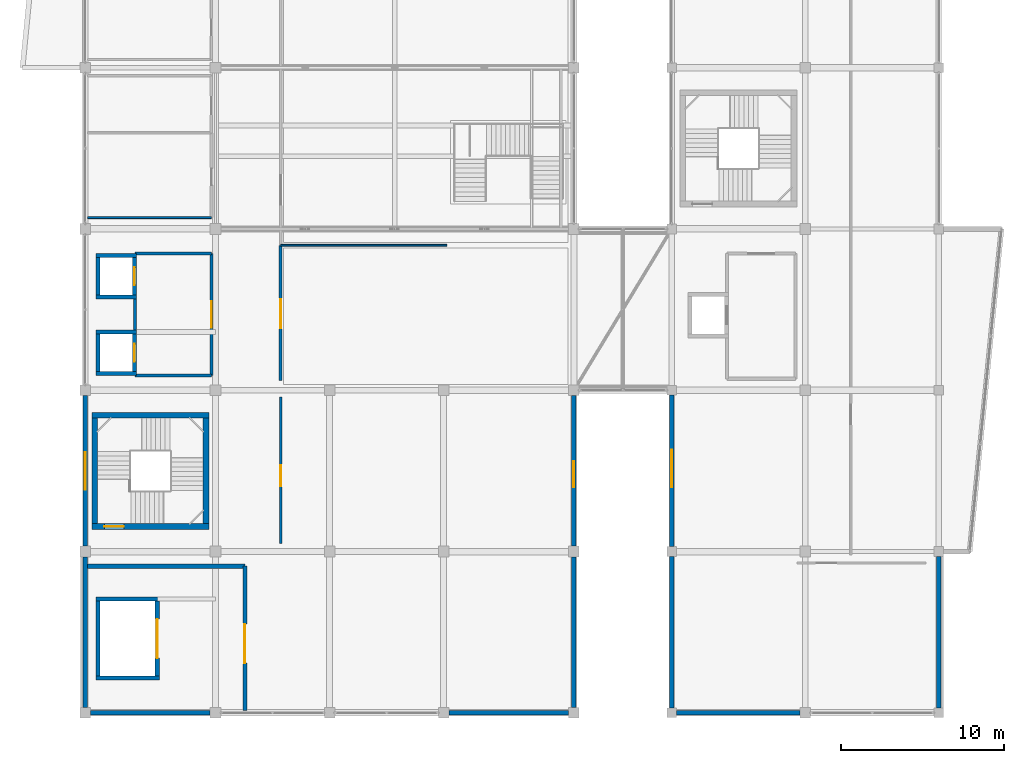
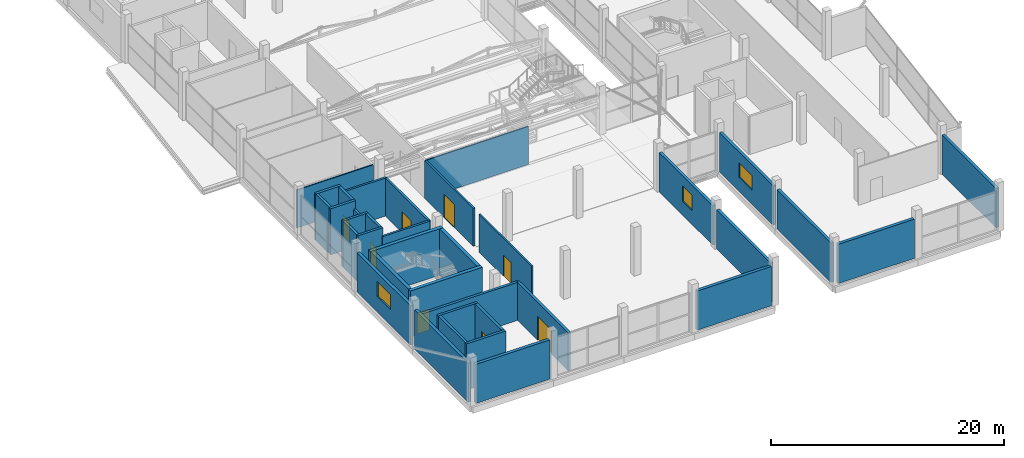
# One storey, part 52 of 66: 36 walls, 8 doors, 3 windows, 11 openings.
"""IFC4 building model written with IfcOpenShell, lengths in metres."""

from ifc_helpers import new_model, si_unit, direction, frame, frame_2d, origin, place, context, subcontext, project, spatial, rectangle, extrude, material, layer, layer_set, type_object, element, fill, save


model = new_model("IFC4")

# Units and contexts
model_context = context("Model", 3, precision=1e-05, world=origin(), true_north=direction((0.0, 1.0)))
body_context = subcontext(model_context, "Body", "Model", "MODEL_VIEW")
ifc_project = project(units=[si_unit("LENGTHUNIT", "METRE"), si_unit("AREAUNIT", "SQUARE_METRE"), si_unit("VOLUMEUNIT", "CUBIC_METRE"), si_unit("PLANEANGLEUNIT", "RADIAN"), si_unit("MASSUNIT", "GRAM", prefix="KILO")], contexts=[model_context])

# Site, building, storey
site_placement = place(None, origin())
site = spatial("IfcSite", under=ifc_project, at=site_placement, CompositionType="ELEMENT")
building_placement = place(site_placement, origin())
building = spatial("IfcBuilding", under=site, at=building_placement, Name="Sillaruma Civic Art Gallery", CompositionType="ELEMENT")
storey_placement = place(building_placement, frame((0.0, 0.0, 57.1201171875)))
storey = spatial("IfcBuildingStorey", under=building, at=storey_placement, Name="L11", CompositionType="ELEMENT", Elevation=57.1201171875)

# Wall, opening, door
ifc_material_1 = material(Name="Concrete H40 (40 MPa)", Category="concrete")
ifc_layer_1 = layer(ifc_material_1, 0.35009765625, Name="Concrete H40 (40 MPa)")
ifc_layer_set_1 = layer_set([ifc_layer_1], Name="Concrete H40 (40 MPa)")
wall_type_1 = type_object("IfcWallType", Name="WAL-CORE-350", PredefinedType="SHEAR", material=ifc_layer_set_1)
wall_1_placement = place(storey_placement, frame((62.409912109375, 31.235107421875, 0.0), z_axis=(0.0, 0.0, 1.0), x_axis=(1.0, 0.0, 0.0)))
wall_1 = element("IfcWall", 1, at=wall_1_placement, inside=storey, type_object=wall_type_1, Name="Stair Core Shear Wall W-CORE-350 (ST-03:L11:S)", PredefinedType="SHEAR", context=body_context, shape_type="SweptSolid", body=[
    extrude(rectangle(XDim=7.18017578125, YDim=0.35009765625, at=frame_2d((3.590087890625, 0.0))), origin(), (0.0, 0.0, 1.0), 4.869873046875),
])
opening_1_placement = place(wall_1_placement, frame((0.77001953125, 0.0, 0.0)))
opening_1 = element("IfcOpeningElement", 2, at=opening_1_placement, cuts=wall_1, Name="Opening D-STAIR", PredefinedType="OPENING", context=body_context, shape_type="SweptSolid", body=[
    extrude(rectangle(XDim=1.199951171875, YDim=2.199951171875, at=frame_2d((0.60009765625, 1.10009765625))), frame((0.0, 0.18505859375, 0.0), z_axis=(0.0, -1.0, 0.0), x_axis=(1.0, 0.0, 0.0)), (0.0, 0.0, 1.0), 0.3701171875),
])
ifc_material_2 = material(Name="Galvanised Steel ASTM A653 Gr.50", Category="steel")
door_type_1 = type_object("IfcDoorType", Name="DOR-STAIR-120", OperationType="NOTDEFINED", PredefinedType="DOOR", material=ifc_material_2)
door_1_placement = place(opening_1_placement, origin())
door_1 = element("IfcDoor", 3, at=door_1_placement, inside=storey, type_object=door_type_1, Name="Protected Stair Fire Door (ST-03:L11)", OperationType="SINGLE_SWING_LEFT", OverallHeight=2.199951171875, OverallWidth=1.199951171875, PredefinedType="DOOR", context=body_context, shape_type="SweptSolid", body=[
    extrude(rectangle(XDim=1.199951171875, YDim=2.199951171875, at=frame_2d((0.60009765625, 1.10009765625))), frame((0.0, 0.02490234375, 0.0), z_axis=(0.0, -1.0, 0.0), x_axis=(1.0, 0.0, 0.0)), (0.0, 0.0, 1.0), 0.050048828125),
])
fill(opening_1, door_1)

# Walls
wall_2_placement = place(storey_placement, frame((62.409912109375, 38.06494140625, 0.0), z_axis=(0.0, 0.0, 1.0), x_axis=(1.0, 0.0, 0.0)))
element("IfcWall", 4, at=wall_2_placement, inside=storey, type_object=wall_type_1, Name="Stair Core Shear Wall W-CORE-350 (ST-03:L11:N)", PredefinedType="SHEAR", context=body_context, shape_type="SweptSolid", body=[
    extrude(rectangle(XDim=7.18017578125, YDim=0.35009765625, at=frame_2d((3.590087890625, 0.0))), origin(), (0.0, 0.0, 1.0), 4.869873046875),
])
for number, where, z_axis, x_axis, name in (
    (5, (62.5849609375, 31.409912109375, 0.0), (0.0, 0.0, 1.0), (0.0, 1.0, 0.0), "Stair Core Shear Wall W-CORE-350 (ST-03:L11:W)"),
    (6, (69.4150390625, 31.409912109375, 0.0), (0.0, 0.0, 1.0), (0.0, 1.0, 0.0), "Stair Core Shear Wall W-CORE-350 (ST-03:L11:E)"),
):
    element("IfcWall", number, at=place(storey_placement, frame(where, z_axis=z_axis, x_axis=x_axis)), inside=storey, type_object=wall_type_1, Name=name, PredefinedType="SHEAR", context=body_context, shape_type="SweptSolid", body=[
        extrude(rectangle(XDim=6.47998046875, YDim=0.35009765625, at=frame_2d((3.239990234375, 0.0))), origin(), (0.0, 0.0, 1.0), 4.869873046875),
    ])
ifc_material_3 = material(Name="Concrete H35 (35 MPa)", Category="concrete")
ifc_layer_2 = layer(ifc_material_3, 0.159912109375, Name="Concrete backup", Category="concrete")
ifc_material_4 = material(Name="Mineral Wool Thermal Insulation", Category="insulation")
ifc_layer_3 = layer(ifc_material_4, 0.090087890625, Name="Thermal insulation", Category="insulation")
ifc_material_5 = material(Name="Anodised Zinc-Aluminium Alloy", Category="aluminium")
ifc_layer_4 = layer(ifc_material_5, 0.030029296875, Name="Rainscreen finish", Category="aluminium")
ifc_layer_set_2 = layer_set([ifc_layer_2, ifc_layer_3, ifc_layer_4], Name="W-EXT-280")
wall_type_2 = type_object("IfcWallType", Name="WAL-EXT-280", PredefinedType="SOLIDWALL", material=ifc_layer_set_2)
wall_3_placement = place(storey_placement, frame((92.0, 20.125, 0.0), z_axis=(0.0, 0.0, 1.0), x_axis=(0.0, 1.0, 0.0)))
element("IfcWall", 7, at=wall_3_placement, inside=storey, type_object=wall_type_2, Name="Exterior Wall W-EXT-280 (EW-L11-WBE-1)", PredefinedType="SOLIDWALL", context=body_context, shape_type="SweptSolid", body=[
    extrude(rectangle(XDim=9.25, YDim=0.280029296875, at=frame_2d((4.625, 0.0))), origin(), (0.0, 0.0, 1.0), 4.119873046875),
])

# Wall, opening, window
wall_4_placement = place(storey_placement, frame((92.0, 30.02490234375, 0.0), z_axis=(0.0, 0.0, 1.0), x_axis=(0.0, 1.0, 0.0)))
wall_4 = element("IfcWall", 8, at=wall_4_placement, inside=storey, type_object=wall_type_2, Name="Exterior Wall W-EXT-280 (EW-L11-WBE-2)", PredefinedType="SOLIDWALL", context=body_context, shape_type="SweptSolid", body=[
    extrude(rectangle(XDim=9.25, YDim=0.280029296875, at=frame_2d((4.625, 0.0))), origin(), (0.0, 0.0, 1.0), 4.119873046875),
])
opening_2_placement = place(wall_4_placement, frame((3.625, 0.0, 1.449951171875)))
opening_2 = element("IfcOpeningElement", 9, at=opening_2_placement, cuts=wall_4, Name="Opening WN-05", PredefinedType="OPENING", context=body_context, shape_type="SweptSolid", body=[
    extrude(rectangle(XDim=1.60009765625, YDim=1.64990234375, at=frame_2d((0.800048828125, 0.824951171875))), frame((0.0, 0.14990234375, 0.0), z_axis=(0.0, -1.0, 0.0), x_axis=(1.0, 0.0, 0.0)), (0.0, 0.0, 1.0), 0.300048828125),
])
ifc_material_6 = material(Name="Thermally Broken Extruded Aluminium 6063-T6", Category="aluminium")
window_type_1 = type_object("IfcWindowType", Name="WIN-W05", PartitioningType="SINGLE_PANEL", PredefinedType="WINDOW", material=ifc_material_6)
window_1_placement = place(opening_2_placement, origin())
window_1 = element("IfcWindow", 10, at=window_1_placement, inside=storey, type_object=window_type_1, Name="Window WN-05 (EW-L11-WBE-2-1)", OverallHeight=1.64990234375, OverallWidth=1.60009765625, PartitioningType="SINGLE_PANEL", PredefinedType="WINDOW", context=body_context, shape_type="SweptSolid", body=[
    extrude(rectangle(XDim=1.60009765625, YDim=1.64990234375, at=frame_2d((0.800048828125, 0.824951171875))), frame((0.0, 0.030029296875, 0.0), z_axis=(0.0, -1.0, 0.0), x_axis=(1.0, 0.0, 0.0)), (0.0, 0.0, 1.0), 0.06005859375),
])
fill(opening_2, window_1)

# Wall
wall_5_placement = place(storey_placement, frame((98.0, 20.10009765625, 0.0), z_axis=(0.0, 0.0, 1.0), x_axis=(0.0, 1.0, 0.0)))
element("IfcWall", 11, at=wall_5_placement, inside=storey, type_object=wall_type_2, Name="Exterior Wall W-EXT-280 (EW-L11-EBW-1)", PredefinedType="SOLIDWALL", context=body_context, shape_type="SweptSolid", body=[
    extrude(rectangle(XDim=9.2998046875, YDim=0.280029296875, at=frame_2d((4.64990234375, 0.0))), origin(), (0.0, 0.0, 1.0), 4.119873046875),
])

# Wall, opening, window
wall_6_placement = place(storey_placement, frame((98.0, 30.0, 0.0), z_axis=(0.0, 0.0, 1.0), x_axis=(0.0, 1.0, 0.0)))
wall_6 = element("IfcWall", 12, at=wall_6_placement, inside=storey, type_object=wall_type_2, Name="Exterior Wall W-EXT-280 (EW-L11-EBW-2)", PredefinedType="SOLIDWALL", context=body_context, shape_type="SweptSolid", body=[
    extrude(rectangle(XDim=9.300048828125, YDim=0.280029296875, at=frame_2d((4.64990234375, 0.0))), origin(), (0.0, 0.0, 1.0), 4.119873046875),
])
opening_3_placement = place(wall_6_placement, frame((3.64990234375, 0.0, 1.449951171875)))
opening_3 = element("IfcOpeningElement", 13, at=opening_3_placement, cuts=wall_6, Name="Opening WN-12", PredefinedType="OPENING", context=body_context, shape_type="SweptSolid", body=[
    extrude(rectangle(XDim=2.300048828125, YDim=1.550048828125, at=frame_2d((1.14990234375, 0.77490234375))), frame((0.0, 0.14990234375, 0.0), z_axis=(0.0, -1.0, 0.0), x_axis=(1.0, 0.0, 0.0)), (0.0, 0.0, 1.0), 0.300048828125),
])
window_type_2 = type_object("IfcWindowType", Name="WIN-W12", PartitioningType="SINGLE_PANEL", PredefinedType="WINDOW", material=ifc_material_6)
window_2_placement = place(opening_3_placement, origin())
window_2 = element("IfcWindow", 14, at=window_2_placement, inside=storey, type_object=window_type_2, Name="Window WN-12 (EW-L11-EBW-2-1)", OverallHeight=1.550048828125, OverallWidth=2.300048828125, PartitioningType="SINGLE_PANEL", PredefinedType="WINDOW", context=body_context, shape_type="SweptSolid", body=[
    extrude(rectangle(XDim=2.300048828125, YDim=1.550048828125, at=frame_2d((1.14990234375, 0.77490234375))), frame((0.0, 0.030029296875, 0.0), z_axis=(0.0, -1.0, 0.0), x_axis=(1.0, 0.0, 0.0)), (0.0, 0.0, 1.0), 0.06005859375),
])
fill(opening_3, window_2)

# Walls
ifc_layer_5 = layer(ifc_material_3, 0.169921875, Name="Concrete backup", Category="concrete")
ifc_layer_6 = layer(ifc_material_4, 0.090087890625, Name="Thermal insulation", Category="insulation")
ifc_layer_7 = layer(ifc_material_5, 0.030029296875, Name="Rainscreen finish", Category="aluminium")
ifc_layer_set_3 = layer_set([ifc_layer_5, ifc_layer_6, ifc_layer_7], Name="W-EXT-290")
wall_type_3 = type_object("IfcWallType", Name="WAL-EXT-290", PredefinedType="SOLIDWALL", material=ifc_layer_set_3)
wall_7_placement = place(storey_placement, frame((62.0, 20.125, 0.0), z_axis=(0.0, 0.0, 1.0), x_axis=(0.0, 1.0, 0.0)))
element("IfcWall", 15, at=wall_7_placement, inside=storey, type_object=wall_type_3, Name="Exterior Wall W-EXT-290 (EW-L11-WBW-1)", PredefinedType="SOLIDWALL", context=body_context, shape_type="SweptSolid", body=[
    extrude(rectangle(XDim=9.25, YDim=0.2900390625, at=frame_2d((4.625, 0.0))), origin(), (0.0, 0.0, 1.0), 4.119873046875),
])
wall_8_placement = place(storey_placement, frame((114.39990234375, 20.10009765625, 0.0), z_axis=(0.0, 0.0, 1.0), x_axis=(0.0, 1.0, 0.0)))
element("IfcWall", 16, at=wall_8_placement, inside=storey, type_object=wall_type_3, Name="Exterior Wall W-EXT-290 (EW-L11-EBE-1)", PredefinedType="SOLIDWALL", context=body_context, shape_type="SweptSolid", body=[
    extrude(rectangle(XDim=9.2998046875, YDim=0.2900390625, at=frame_2d((4.64990234375, 0.0))), origin(), (0.0, 0.0, 1.0), 4.119873046875),
])

# Wall, opening, window
ifc_material_7 = material(Name="Precast Concrete H35 (35 MPa)", Category="concrete")
ifc_layer_8 = layer(ifc_material_7, 0.179931640625, Name="Precast backup", Category="concrete")
ifc_layer_9 = layer(ifc_material_4, 0.090087890625, Name="Thermal insulation", Category="insulation")
ifc_material_8 = material(Name="Comanche Granitic Ashlar Stone", Category="masonry")
ifc_layer_10 = layer(ifc_material_8, 0.030029296875, Name="Rainscreen cladding", Category="masonry")
ifc_layer_set_4 = layer_set([ifc_layer_8, ifc_layer_9, ifc_layer_10], Name="W-EXT-300")
wall_type_4 = type_object("IfcWallType", Name="WAL-EXT-300", PredefinedType="SOLIDWALL", material=ifc_layer_set_4)
wall_9_placement = place(storey_placement, frame((62.0, 30.02490234375, 0.0), z_axis=(0.0, 0.0, 1.0), x_axis=(0.0, 1.0, 0.0)))
wall_9 = element("IfcWall", 17, at=wall_9_placement, inside=storey, type_object=wall_type_4, Name="Exterior Wall W-EXT-300 (EW-L11-WBW-2)", PredefinedType="SOLIDWALL", context=body_context, shape_type="SweptSolid", body=[
    extrude(rectangle(XDim=9.25, YDim=0.300048828125, at=frame_2d((4.625, 0.0))), origin(), (0.0, 0.0, 1.0), 4.119873046875),
])
opening_4_placement = place(wall_9_placement, frame((3.47509765625, 0.0, 1.64990234375)))
opening_4 = element("IfcOpeningElement", 18, at=opening_4_placement, cuts=wall_9, Name="Opening WN-12", PredefinedType="OPENING", context=body_context, shape_type="SweptSolid", body=[
    extrude(rectangle(XDim=2.300048828125, YDim=1.550048828125, at=frame_2d((1.14990234375, 0.77490234375))), frame((0.0, 0.159912109375, 0.0), z_axis=(0.0, -1.0, 0.0), x_axis=(1.0, 0.0, 0.0)), (0.0, 0.0, 1.0), 0.320068359375),
])
window_3_placement = place(opening_4_placement, origin())
window_3 = element("IfcWindow", 19, at=window_3_placement, inside=storey, type_object=window_type_2, Name="Window WN-12 (EW-L11-WBW-2-1)", OverallHeight=1.550048828125, OverallWidth=2.300048828125, PartitioningType="SINGLE_PANEL", PredefinedType="WINDOW", context=body_context, shape_type="SweptSolid", body=[
    extrude(rectangle(XDim=2.300048828125, YDim=1.550048828125, at=frame_2d((1.14990234375, 0.77490234375))), frame((0.0, 0.030029296875, 0.0), z_axis=(0.0, -1.0, 0.0), x_axis=(1.0, 0.0, 0.0)), (0.0, 0.0, 1.0), 0.06005859375),
])
fill(opening_4, window_3)

# Walls
for number, where, z_axis, x_axis, name in (
    (20, (62.324951171875, 19.800048828125, 0.0), (0.0, 0.0, 1.0), (1.0, 0.0, 0.0), "Exterior Wall W-EXT-300 (EW-L11-WBS-1)"),
    (21, (84.324951171875, 19.800048828125, 0.0), (0.0, 0.0, 1.0), (1.0, 0.0, 0.0), "Exterior Wall W-EXT-300 (EW-L11-WBS-4)"),
):
    element("IfcWall", number, at=place(storey_placement, frame(where, z_axis=z_axis, x_axis=x_axis)), inside=storey, type_object=wall_type_4, Name=name, PredefinedType="SOLIDWALL", context=body_context, shape_type="SweptSolid", body=[
        extrude(rectangle(XDim=7.35009765625, YDim=0.300048828125, at=frame_2d((3.675048828125, 0.0))), origin(), (0.0, 0.0, 1.0), 4.119873046875),
    ])
wall_10_placement = place(storey_placement, frame((98.300048828125, 19.800048828125, 0.0), z_axis=(0.0, 0.0, 1.0), x_axis=(1.0, 0.0, 0.0)))
element("IfcWall", 22, at=wall_10_placement, inside=storey, type_object=wall_type_4, Name="Exterior Wall W-EXT-300 (EW-L11-EBS-1)", PredefinedType="SOLIDWALL", context=body_context, shape_type="SweptSolid", body=[
    extrude(rectangle(XDim=7.574951171875, YDim=0.300048828125, at=frame_2d((3.78759765625, 0.0))), origin(), (0.0, 0.0, 1.0), 4.119873046875),
])
ifc_material_9 = material(Name="Concrete Masonry Unit Grade M15", Category="masonry")
ifc_layer_11 = layer(ifc_material_9, 0.199951171875, Name="Concrete Masonry Unit Grade M15")
ifc_layer_set_5 = layer_set([ifc_layer_11], Name="Concrete Masonry Unit Grade M15")
wall_type_5 = type_object("IfcWallType", Name="WAL-LOBBY-200", PredefinedType="SOLIDWALL", material=ifc_layer_set_5)
for number, where, z_axis, x_axis, name in (
    (23, (65.050048828125, 40.5, 0.0), (0.0, 0.0, 1.0), (1.0, 0.0, 0.0), "Interior Wall W-LOBBY-200 (L11-LLW)"),
    (24, (65.050048828125, 48.0, 0.0), (0.0, 0.0, 1.0), (1.0, 0.0, 0.0), "Interior Wall W-LOBBY-200 (L11-LLW)"),
):
    element("IfcWall", number, at=place(storey_placement, frame(where, z_axis=z_axis, x_axis=x_axis)), inside=storey, type_object=wall_type_5, Name=name, PredefinedType="SOLIDWALL", context=body_context, shape_type="SweptSolid", body=[
        extrude(rectangle(XDim=4.699951171875, YDim=0.199951171875, at=frame_2d((2.35009765625, 0.0))), origin(), (0.0, 0.0, 1.0), 3.989990234375),
    ])
wall_11_placement = place(storey_placement, frame((65.050048828125, 43.300048828125, 0.0), z_axis=(0.0, 0.0, 1.0), x_axis=(0.0, 1.0, 0.0)))
element("IfcWall", 25, at=wall_11_placement, inside=storey, type_object=wall_type_5, Name="Interior Wall W-LOBBY-200 (L11-LLW)", PredefinedType="SOLIDWALL", context=body_context, shape_type="SweptSolid", body=[
    extrude(rectangle(XDim=1.89990234375, YDim=0.199951171875, at=frame_2d((0.949951171875, 0.0))), origin(), (0.0, 0.0, 1.0), 3.989990234375),
])

# Wall, opening, door
wall_12_placement = place(storey_placement, frame((69.75, 40.5, 0.0), z_axis=(0.0, 0.0, 1.0), x_axis=(0.0, 1.0, 0.0)))
wall_12 = element("IfcWall", 26, at=wall_12_placement, inside=storey, type_object=wall_type_5, Name="Interior Wall W-LOBBY-200 (L11-LLW)", PredefinedType="SOLIDWALL", context=body_context, shape_type="SweptSolid", body=[
    extrude(rectangle(XDim=7.5, YDim=0.199951171875, at=frame_2d((3.75, 0.0))), origin(), (0.0, 0.0, 1.0), 3.989990234375),
])
opening_5_placement = place(wall_12_placement, frame((2.949951171875, 0.0, 0.0)))
opening_5 = element("IfcOpeningElement", 27, at=opening_5_placement, cuts=wall_12, Name="Opening D-LOBBY", PredefinedType="OPENING", context=body_context, shape_type="SweptSolid", body=[
    extrude(rectangle(XDim=1.60009765625, YDim=2.199951171875, at=frame_2d((0.800048828125, 1.10009765625))), frame((0.0, 0.10986328125, 0.0), z_axis=(0.0, -1.0, 0.0), x_axis=(1.0, 0.0, 0.0)), (0.0, 0.0, 1.0), 0.219970703125),
])
door_type_2 = type_object("IfcDoorType", Name="DOR-LOBBY-160", OperationType="NOTDEFINED", PredefinedType="DOOR", material=ifc_material_6)
door_2_placement = place(opening_5_placement, origin())
door_2 = element("IfcDoor", 28, at=door_2_placement, inside=storey, type_object=door_type_2, Name="West Lift Lobby Door (D-LOBBY)", OperationType="DOUBLE_DOOR_SINGLE_SWING", OverallHeight=2.199951171875, OverallWidth=1.60009765625, PredefinedType="DOOR", context=body_context, shape_type="SweptSolid", body=[
    extrude(rectangle(XDim=1.60009765625, YDim=2.199951171875, at=frame_2d((0.800048828125, 1.10009765625))), frame((0.0, 0.02490234375, 0.0), z_axis=(0.0, -1.0, 0.0), x_axis=(1.0, 0.0, 0.0)), (0.0, 0.0, 1.0), 0.050048828125),
])
fill(opening_5, door_2)

# Walls
ifc_material_10 = material(Name="Gypsum Acoustic Board", Category="gypsum")
ifc_layer_12 = layer(ifc_material_10, 0.02490234375, Name="Finish board", Category="gypsum")
ifc_layer_13 = layer(ifc_material_4, 0.06005859375, Name="Acoustic core", Category="insulation")
ifc_material_11 = material(Name="Andean Oak Timber", Category="wood")
ifc_layer_14 = layer(ifc_material_11, 0.02490234375, Name="Gallery lining", Category="wood")
ifc_layer_set_6 = layer_set([ifc_layer_12, ifc_layer_13, ifc_layer_14], Name="W-PT-110")
wall_type_6 = type_object("IfcWallType", Name="WAL-PART-110", PredefinedType="PARTITIONING", material=ifc_layer_set_6)
wall_13_placement = place(storey_placement, frame((74.0, 48.5, 0.0), z_axis=(0.0, 0.0, 1.0), x_axis=(1.0, 0.0, 0.0)))
element("IfcWall", 29, at=wall_13_placement, inside=storey, type_object=wall_type_6, Name="Interior Wall W-PT-110 (L11-GALW1)", PredefinedType="PARTITIONING", context=body_context, shape_type="SweptSolid", body=[
    extrude(rectangle(XDim=10.199951171875, YDim=0.110107421875, at=frame_2d((5.10009765625, 0.0))), origin(), (0.0, 0.0, 1.0), 3.989990234375),
])
ifc_layer_15 = layer(ifc_material_10, 0.02490234375, Name="Finish board", Category="gypsum")
ifc_layer_16 = layer(ifc_material_4, 0.070068359375, Name="Acoustic core", Category="insulation")
ifc_layer_17 = layer(ifc_material_11, 0.02490234375, Name="Gallery lining", Category="wood")
ifc_layer_set_7 = layer_set([ifc_layer_15, ifc_layer_16, ifc_layer_17], Name="W-PT-120")
wall_type_7 = type_object("IfcWallType", Name="WAL-PART-120", PredefinedType="PARTITIONING", material=ifc_layer_set_7)
wall_14_placement = place(storey_placement, frame((62.14990234375, 50.199951171875, 0.0), z_axis=(0.0, 0.0, 1.0), x_axis=(1.0, 0.0, 0.0)))
element("IfcWall", 30, at=wall_14_placement, inside=storey, type_object=wall_type_7, Name="Interior Wall W-PT-120 (L11-WC1)", PredefinedType="PARTITIONING", context=body_context, shape_type="SweptSolid", body=[
    extrude(rectangle(XDim=7.60009765625, YDim=0.1201171875, at=frame_2d((3.800048828125, 0.0))), origin(), (0.0, 0.0, 1.0), 3.989990234375),
])

# Wall, opening, door
ifc_layer_18 = layer(ifc_material_10, 0.02490234375, Name="Finish board", Category="gypsum")
ifc_layer_19 = layer(ifc_material_4, 0.10009765625, Name="Acoustic core", Category="insulation")
ifc_layer_20 = layer(ifc_material_11, 0.02490234375, Name="Gallery lining", Category="wood")
ifc_layer_set_8 = layer_set([ifc_layer_18, ifc_layer_19, ifc_layer_20], Name="W-PT-150")
wall_type_8 = type_object("IfcWallType", Name="WAL-PART-150", PredefinedType="PARTITIONING", material=ifc_layer_set_8)
wall_15_placement = place(storey_placement, frame((74.0, 30.199951171875, 0.0), z_axis=(0.0, 0.0, 1.0), x_axis=(0.0, 1.0, 0.0)))
wall_15 = element("IfcWall", 31, at=wall_15_placement, inside=storey, type_object=wall_type_8, Name="Interior Wall W-PT-150 (L11-STDW0)", PredefinedType="PARTITIONING", context=body_context, shape_type="SweptSolid", body=[
    extrude(rectangle(XDim=9.0, YDim=0.14990234375, at=frame_2d((4.5, 0.0))), origin(), (0.0, 0.0, 1.0), 3.989990234375),
])
opening_6_placement = place(wall_15_placement, frame((3.5, 0.0, 0.0)))
opening_6 = element("IfcOpeningElement", 32, at=opening_6_placement, cuts=wall_15, Name="Opening D-STD13", PredefinedType="OPENING", context=body_context, shape_type="SweptSolid", body=[
    extrude(rectangle(XDim=1.300048828125, YDim=2.25, at=frame_2d((0.64990234375, 1.125))), frame((0.0, 0.0849609375, 0.0), z_axis=(0.0, -1.0, 0.0), x_axis=(1.0, 0.0, 0.0)), (0.0, 0.0, 1.0), 0.169921875),
])
door_type_3 = type_object("IfcDoorType", Name="DOR-STD-130", OperationType="NOTDEFINED", PredefinedType="DOOR", material=ifc_material_11)
door_3_placement = place(opening_6_placement, origin())
door_3 = element("IfcDoor", 33, at=door_3_placement, inside=storey, type_object=door_type_3, Name="West Wing South Artist Studio (L11) Door (D-STD13)", OperationType="SINGLE_SWING_LEFT", OverallHeight=2.25, OverallWidth=1.300048828125, PredefinedType="DOOR", context=body_context, shape_type="SweptSolid", body=[
    extrude(rectangle(XDim=1.300048828125, YDim=2.25, at=frame_2d((0.64990234375, 1.125))), frame((0.0, 0.02490234375, 0.0), z_axis=(0.0, -1.0, 0.0), x_axis=(1.0, 0.0, 0.0)), (0.0, 0.0, 1.0), 0.050048828125),
])
fill(opening_6, door_3)

ifc_layer_21 = layer(ifc_material_10, 0.02490234375, Name="Finish board", Category="gypsum")
ifc_layer_22 = layer(ifc_material_4, 0.1298828125, Name="Acoustic core", Category="insulation")
ifc_layer_23 = layer(ifc_material_11, 0.02490234375, Name="Gallery lining", Category="wood")
ifc_layer_set_9 = layer_set([ifc_layer_21, ifc_layer_22, ifc_layer_23], Name="W-PT-180")
wall_type_9 = type_object("IfcWallType", Name="WAL-PART-180", PredefinedType="PARTITIONING", material=ifc_layer_set_9)
wall_16_placement = place(storey_placement, frame((74.0, 40.199951171875, 0.0), z_axis=(0.0, 0.0, 1.0), x_axis=(0.0, 1.0, 0.0)))
wall_16 = element("IfcWall", 34, at=wall_16_placement, inside=storey, type_object=wall_type_9, Name="Interior Wall W-PT-180 (L11-GALW1)", PredefinedType="PARTITIONING", context=body_context, shape_type="SweptSolid", body=[
    extrude(rectangle(XDim=8.300048828125, YDim=0.179931640625, at=frame_2d((4.14990234375, 0.0))), origin(), (0.0, 0.0, 1.0), 3.989990234375),
])
opening_7_placement = place(wall_16_placement, frame((3.199951171875, 0.0, 0.0)))
opening_7 = element("IfcOpeningElement", 35, at=opening_7_placement, cuts=wall_16, Name="Opening D-GAL18", PredefinedType="OPENING", context=body_context, shape_type="SweptSolid", body=[
    extrude(rectangle(XDim=1.800048828125, YDim=2.449951171875, at=frame_2d((0.89990234375, 1.22509765625))), frame((0.0, 0.099853515625, 0.0), z_axis=(0.0, -1.0, 0.0), x_axis=(1.0, 0.0, 0.0)), (0.0, 0.0, 1.0), 0.199951171875),
])
door_type_4 = type_object("IfcDoorType", Name="DOR-GAL-180", OperationType="NOTDEFINED", PredefinedType="DOOR", material=ifc_material_11)
door_4_placement = place(opening_7_placement, origin())
door_4 = element("IfcDoor", 36, at=door_4_placement, inside=storey, type_object=door_type_4, Name="Paired Wing South Gallery (L11) Door (D-GAL18)", OperationType="DOUBLE_DOOR_SINGLE_SWING", OverallHeight=2.449951171875, OverallWidth=1.800048828125, PredefinedType="DOOR", context=body_context, shape_type="SweptSolid", body=[
    extrude(rectangle(XDim=1.800048828125, YDim=2.449951171875, at=frame_2d((0.89990234375, 1.22509765625))), frame((0.0, 0.02490234375, 0.0), z_axis=(0.0, -1.0, 0.0), x_axis=(1.0, 0.0, 0.0)), (0.0, 0.0, 1.0), 0.050048828125),
])
fill(opening_7, door_4)

# Walls
ifc_layer_24 = layer(ifc_material_1, 0.25, Name="Concrete H40 (40 MPa)")
ifc_layer_set_10 = layer_set([ifc_layer_24], Name="Concrete H40 (40 MPa)")
wall_type_10 = type_object("IfcWallType", Name="WAL-SHAFT-250", PredefinedType="SOLIDWALL", material=ifc_layer_set_10)
for number, where, z_axis, x_axis, name in (
    (37, (62.64990234375, 40.625, 0.0), (0.0, 0.0, 1.0), (1.0, 0.0, 0.0), "Lift Shaft Wall W-SHAFT-250 (PL-01:L11:S)"),
    (38, (62.64990234375, 43.175048828125, 0.0), (0.0, 0.0, 1.0), (1.0, 0.0, 0.0), "Lift Shaft Wall W-SHAFT-250 (PL-01:L11:N)"),
):
    element("IfcWall", number, at=place(storey_placement, frame(where, z_axis=z_axis, x_axis=x_axis)), inside=storey, type_object=wall_type_10, Name=name, PredefinedType="SOLIDWALL", context=body_context, shape_type="SweptSolid", body=[
        extrude(rectangle(XDim=2.5, YDim=0.25, at=frame_2d((1.25, 0.0))), origin(), (0.0, 0.0, 1.0), 4.849853515625),
    ])
wall_17_placement = place(storey_placement, frame((62.77490234375, 40.75, 0.0), z_axis=(0.0, 0.0, 1.0), x_axis=(0.0, 1.0, 0.0)))
element("IfcWall", 39, at=wall_17_placement, inside=storey, type_object=wall_type_10, Name="Lift Shaft Wall W-SHAFT-250 (PL-01:L11:W)", PredefinedType="SOLIDWALL", context=body_context, shape_type="SweptSolid", body=[
    extrude(rectangle(XDim=2.300048828125, YDim=0.25, at=frame_2d((1.14990234375, 0.0))), origin(), (0.0, 0.0, 1.0), 4.849853515625),
])

# Wall, opening, door
wall_18_placement = place(storey_placement, frame((65.02490234375, 40.75, 0.0), z_axis=(0.0, 0.0, 1.0), x_axis=(0.0, 1.0, 0.0)))
wall_18 = element("IfcWall", 40, at=wall_18_placement, inside=storey, type_object=wall_type_10, Name="Lift Shaft Wall W-SHAFT-250 (PL-01:L11:E)", PredefinedType="SOLIDWALL", context=body_context, shape_type="SweptSolid", body=[
    extrude(rectangle(XDim=2.300048828125, YDim=0.25, at=frame_2d((1.14990234375, 0.0))), origin(), (0.0, 0.0, 1.0), 4.849853515625),
])
opening_8_placement = place(wall_18_placement, frame((0.60009765625, 0.0, 0.0)))
opening_8 = element("IfcOpeningElement", 41, at=opening_8_placement, cuts=wall_18, Name="Opening LD-01", PredefinedType="OPENING", context=body_context, shape_type="SweptSolid", body=[
    extrude(rectangle(XDim=1.10009765625, YDim=2.199951171875, at=frame_2d((0.550048828125, 1.10009765625))), frame((0.0, 0.135009765625, 0.0), z_axis=(0.0, -1.0, 0.0), x_axis=(1.0, 0.0, 0.0)), (0.0, 0.0, 1.0), 0.27001953125),
])
door_type_5 = type_object("IfcDoorType", Name="DOR-LD-01", OperationType="NOTDEFINED", PredefinedType="DOOR", material=ifc_material_2)
door_5_placement = place(opening_8_placement, origin())
door_5 = element("IfcDoor", 42, at=door_5_placement, inside=storey, type_object=door_type_5, Name="Lift Sliding Landing Door LD-01 (PL-01:L11)", OperationType="DOUBLE_DOOR_SLIDING", OverallHeight=2.199951171875, OverallWidth=1.10009765625, PredefinedType="DOOR", context=body_context, shape_type="SweptSolid", body=[
    extrude(rectangle(XDim=1.10009765625, YDim=2.199951171875, at=frame_2d((0.550048828125, 1.10009765625))), frame((0.0, 0.02490234375, 0.0), z_axis=(0.0, -1.0, 0.0), x_axis=(1.0, 0.0, 0.0)), (0.0, 0.0, 1.0), 0.050048828125),
])
fill(opening_8, door_5)

# Walls
for number, where, z_axis, x_axis, name in (
    (43, (62.64990234375, 45.324951171875, 0.0), (0.0, 0.0, 1.0), (1.0, 0.0, 0.0), "Lift Shaft Wall W-SHAFT-250 (PL-02:L11:S)"),
    (44, (62.64990234375, 47.875, 0.0), (0.0, 0.0, 1.0), (1.0, 0.0, 0.0), "Lift Shaft Wall W-SHAFT-250 (PL-02:L11:N)"),
):
    element("IfcWall", number, at=place(storey_placement, frame(where, z_axis=z_axis, x_axis=x_axis)), inside=storey, type_object=wall_type_10, Name=name, PredefinedType="SOLIDWALL", context=body_context, shape_type="SweptSolid", body=[
        extrude(rectangle(XDim=2.5, YDim=0.25, at=frame_2d((1.25, 0.0))), origin(), (0.0, 0.0, 1.0), 4.849853515625),
    ])
wall_19_placement = place(storey_placement, frame((62.77490234375, 45.449951171875, 0.0), z_axis=(0.0, 0.0, 1.0), x_axis=(0.0, 1.0, 0.0)))
element("IfcWall", 45, at=wall_19_placement, inside=storey, type_object=wall_type_10, Name="Lift Shaft Wall W-SHAFT-250 (PL-02:L11:W)", PredefinedType="SOLIDWALL", context=body_context, shape_type="SweptSolid", body=[
    extrude(rectangle(XDim=2.300048828125, YDim=0.25, at=frame_2d((1.14990234375, 0.0))), origin(), (0.0, 0.0, 1.0), 4.849853515625),
])

# Wall, opening, door
wall_20_placement = place(storey_placement, frame((65.02490234375, 45.449951171875, 0.0), z_axis=(0.0, 0.0, 1.0), x_axis=(0.0, 1.0, 0.0)))
wall_20 = element("IfcWall", 46, at=wall_20_placement, inside=storey, type_object=wall_type_10, Name="Lift Shaft Wall W-SHAFT-250 (PL-02:L11:E)", PredefinedType="SOLIDWALL", context=body_context, shape_type="SweptSolid", body=[
    extrude(rectangle(XDim=2.300048828125, YDim=0.25, at=frame_2d((1.14990234375, 0.0))), origin(), (0.0, 0.0, 1.0), 4.849853515625),
])
opening_9_placement = place(wall_20_placement, frame((0.60009765625, 0.0, 0.0)))
opening_9 = element("IfcOpeningElement", 47, at=opening_9_placement, cuts=wall_20, Name="Opening LD-01", PredefinedType="OPENING", context=body_context, shape_type="SweptSolid", body=[
    extrude(rectangle(XDim=1.10009765625, YDim=2.199951171875, at=frame_2d((0.550048828125, 1.10009765625))), frame((0.0, 0.135009765625, 0.0), z_axis=(0.0, -1.0, 0.0), x_axis=(1.0, 0.0, 0.0)), (0.0, 0.0, 1.0), 0.27001953125),
])
door_6_placement = place(opening_9_placement, origin())
door_6 = element("IfcDoor", 48, at=door_6_placement, inside=storey, type_object=door_type_5, Name="Lift Sliding Landing Door LD-01 (PL-02:L11)", OperationType="DOUBLE_DOOR_SLIDING", OverallHeight=2.199951171875, OverallWidth=1.10009765625, PredefinedType="DOOR", context=body_context, shape_type="SweptSolid", body=[
    extrude(rectangle(XDim=1.10009765625, YDim=2.199951171875, at=frame_2d((0.550048828125, 1.10009765625))), frame((0.0, 0.02490234375, 0.0), z_axis=(0.0, -1.0, 0.0), x_axis=(1.0, 0.0, 0.0)), (0.0, 0.0, 1.0), 0.050048828125),
])
fill(opening_9, door_6)

# Walls
for number, where, z_axis, x_axis, name in (
    (49, (62.64990234375, 21.925048828125, 0.0), (0.0, 0.0, 1.0), (1.0, 0.0, 0.0), "Lift Shaft Wall W-SHAFT-250 (GL-01:L11:S)"),
    (50, (62.64990234375, 26.77490234375, 0.0), (0.0, 0.0, 1.0), (1.0, 0.0, 0.0), "Lift Shaft Wall W-SHAFT-250 (GL-01:L11:N)"),
):
    element("IfcWall", number, at=place(storey_placement, frame(where, z_axis=z_axis, x_axis=x_axis)), inside=storey, type_object=wall_type_10, Name=name, PredefinedType="SOLIDWALL", context=body_context, shape_type="SweptSolid", body=[
        extrude(rectangle(XDim=3.900146484375, YDim=0.25, at=frame_2d((1.9501953125, 0.0))), origin(), (0.0, 0.0, 1.0), 4.849853515625),
    ])
wall_21_placement = place(storey_placement, frame((62.77490234375, 22.050048828125, 0.0), z_axis=(0.0, 0.0, 1.0), x_axis=(0.0, 1.0, 0.0)))
element("IfcWall", 51, at=wall_21_placement, inside=storey, type_object=wall_type_10, Name="Lift Shaft Wall W-SHAFT-250 (GL-01:L11:W)", PredefinedType="SOLIDWALL", context=body_context, shape_type="SweptSolid", body=[
    extrude(rectangle(XDim=4.599853515625, YDim=0.25, at=frame_2d((2.2998046875, 0.0))), origin(), (0.0, 0.0, 1.0), 4.849853515625),
])

# Wall, opening, door
wall_22_placement = place(storey_placement, frame((66.425048828125, 22.050048828125, 0.0), z_axis=(0.0, 0.0, 1.0), x_axis=(0.0, 1.0, 0.0)))
wall_22 = element("IfcWall", 52, at=wall_22_placement, inside=storey, type_object=wall_type_10, Name="Lift Shaft Wall W-SHAFT-250 (GL-01:L11:E)", PredefinedType="SOLIDWALL", context=body_context, shape_type="SweptSolid", body=[
    extrude(rectangle(XDim=4.599853515625, YDim=0.25, at=frame_2d((2.2998046875, 0.0))), origin(), (0.0, 0.0, 1.0), 4.849853515625),
])
opening_10_placement = place(wall_22_placement, frame((1.10009765625, 0.0, 0.0)))
opening_10 = element("IfcOpeningElement", 53, at=opening_10_placement, cuts=wall_22, Name="Opening LD-03", PredefinedType="OPENING", context=body_context, shape_type="SweptSolid", body=[
    extrude(rectangle(XDim=2.39990234375, YDim=2.64990234375, at=frame_2d((1.199951171875, 1.324951171875))), frame((0.0, 0.135009765625, 0.0), z_axis=(0.0, -1.0, 0.0), x_axis=(1.0, 0.0, 0.0)), (0.0, 0.0, 1.0), 0.27001953125),
])
door_type_6 = type_object("IfcDoorType", Name="DOR-LD-03", OperationType="NOTDEFINED", PredefinedType="DOOR", material=ifc_material_2)
door_7_placement = place(opening_10_placement, origin())
door_7 = element("IfcDoor", 54, at=door_7_placement, inside=storey, type_object=door_type_6, Name="Lift Sliding Landing Door LD-03 (GL-01:L11)", OperationType="DOUBLE_DOOR_SLIDING", OverallHeight=2.64990234375, OverallWidth=2.39990234375, PredefinedType="DOOR", context=body_context, shape_type="SweptSolid", body=[
    extrude(rectangle(XDim=2.39990234375, YDim=2.64990234375, at=frame_2d((1.199951171875, 1.324951171875))), frame((0.0, 0.02490234375, 0.0), z_axis=(0.0, -1.0, 0.0), x_axis=(1.0, 0.0, 0.0)), (0.0, 0.0, 1.0), 0.050048828125),
])
fill(opening_10, door_7)

# Wall
ifc_layer_25 = layer(ifc_material_9, 0.2548828125, Name="Concrete Masonry Unit Grade M15")
ifc_layer_set_11 = layer_set([ifc_layer_25], Name="Concrete Masonry Unit Grade M15")
wall_type_11 = type_object("IfcWallType", Name="WAL-STORE-250", PredefinedType="SOLIDWALL", material=ifc_layer_set_11)
wall_23_placement = place(storey_placement, frame((62.14990234375, 28.800048828125, 0.0), z_axis=(0.0, 0.0, 1.0), x_axis=(1.0, 0.0, 0.0)))
element("IfcWall", 55, at=wall_23_placement, inside=storey, type_object=wall_type_11, Name="Interior Wall W-STORE-250 (L11-AIR)", PredefinedType="SOLIDWALL", context=body_context, shape_type="SweptSolid", body=[
    extrude(rectangle(XDim=9.650146484375, YDim=0.2548828125, at=frame_2d((4.8251953125, 0.0))), origin(), (0.0, 0.0, 1.0), 3.989990234375),
])

# Wall, opening, door
wall_24_placement = place(storey_placement, frame((71.800048828125, 19.949951171875, 0.0), z_axis=(0.0, 0.0, 1.0), x_axis=(0.0, 1.0, 0.0)))
wall_24 = element("IfcWall", 56, at=wall_24_placement, inside=storey, type_object=wall_type_11, Name="Interior Wall W-STORE-250 (L11-AIR)", PredefinedType="SOLIDWALL", context=body_context, shape_type="SweptSolid", body=[
    extrude(rectangle(XDim=8.85009765625, YDim=0.2548828125, at=frame_2d((4.425048828125, 0.0))), origin(), (0.0, 0.0, 1.0), 3.989990234375),
])
opening_11_placement = place(wall_24_placement, frame((2.89990234375, 0.0, 0.0)))
opening_11 = element("IfcOpeningElement", 57, at=opening_11_placement, cuts=wall_24, Name="Opening D-STR24", PredefinedType="OPENING", context=body_context, shape_type="SweptSolid", body=[
    extrude(rectangle(XDim=2.39990234375, YDim=2.5, at=frame_2d((1.199951171875, 1.25))), frame((0.0, 0.137451171875, 0.0), z_axis=(0.0, -1.0, 0.0), x_axis=(1.0, 0.0, 0.0)), (0.0, 0.0, 1.0), 0.27490234375),
])
door_type_7 = type_object("IfcDoorType", Name="DOR-STORE-240", OperationType="NOTDEFINED", PredefinedType="DOOR", material=ifc_material_2)
door_8_placement = place(opening_11_placement, origin())
door_8 = element("IfcDoor", 58, at=door_8_placement, inside=storey, type_object=door_type_7, Name="Crate Airlock Door (D-STR24)", OperationType="DOUBLE_DOOR_SINGLE_SWING", OverallHeight=2.5, OverallWidth=2.39990234375, PredefinedType="DOOR", context=body_context, shape_type="SweptSolid", body=[
    extrude(rectangle(XDim=2.39990234375, YDim=2.5, at=frame_2d((1.199951171875, 1.25))), frame((0.0, 0.02490234375, 0.0), z_axis=(0.0, -1.0, 0.0), x_axis=(1.0, 0.0, 0.0)), (0.0, 0.0, 1.0), 0.050048828125),
])
fill(opening_11, door_8)

save(model, "model.ifc")
